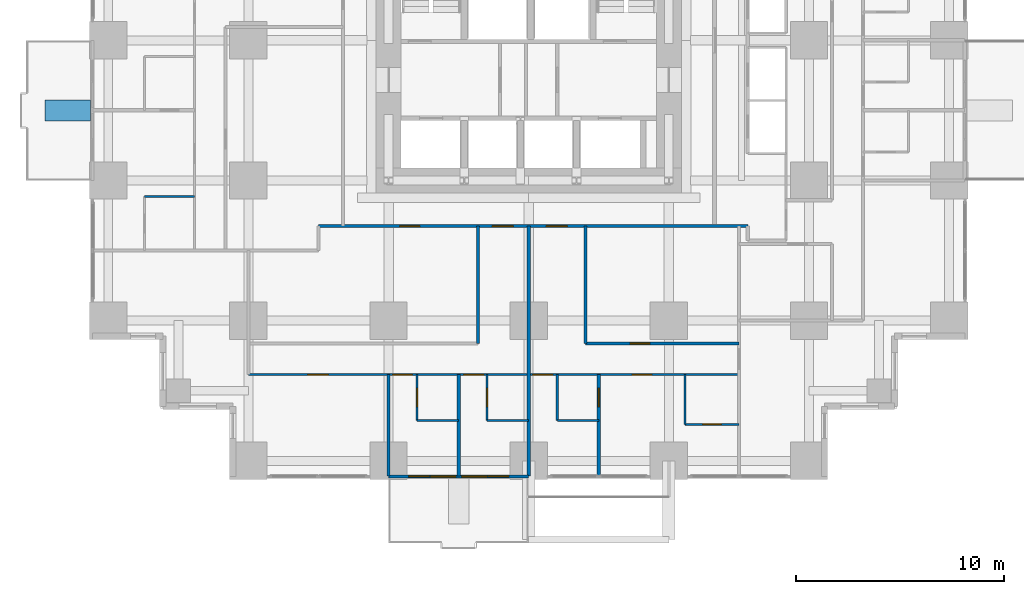
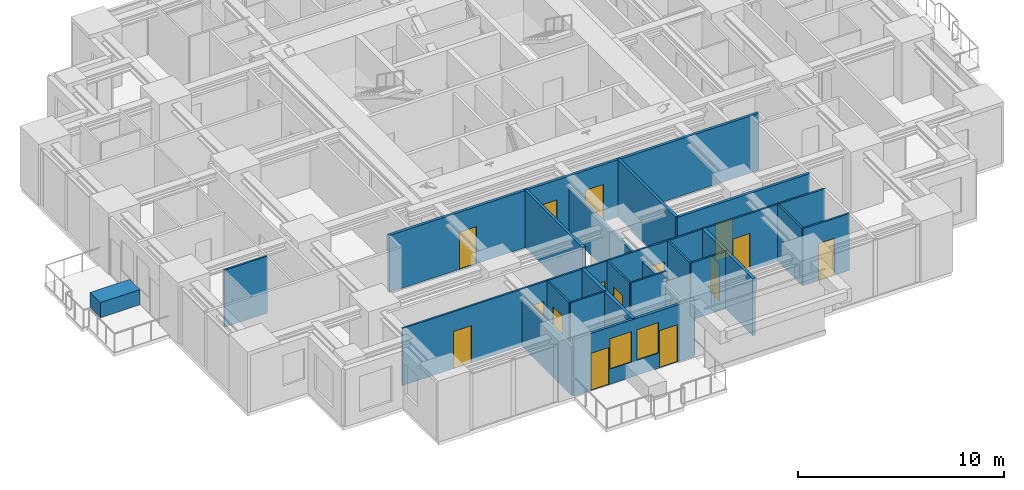
# One storey, part 7 of 13: 20 walls, 15 doors, 2 windows, 17 openings.
"""IFC4 building model written with IfcOpenShell, lengths in metres."""

from ifc_helpers import new_model, si_unit, direction, frame, frame_2d, origin, place, context, subcontext, project, spatial, rectangle, extrude, material, layer, layer_set, type_object, element, fill, save


model = new_model("IFC4")

# Units and contexts
model_context = context("Model", 3, precision=1e-05, world=origin(), true_north=direction((0.0, 1.0)))
body_context = subcontext(model_context, "Body", "Model", "MODEL_VIEW")
ifc_project = project(units=[si_unit("LENGTHUNIT", "METRE"), si_unit("AREAUNIT", "SQUARE_METRE"), si_unit("VOLUMEUNIT", "CUBIC_METRE"), si_unit("PLANEANGLEUNIT", "RADIAN"), si_unit("MASSUNIT", "GRAM", prefix="KILO")], contexts=[model_context])

# Site, building, storey
site_placement = place(None, origin())
site = spatial("IfcSite", under=ifc_project, at=site_placement, CompositionType="ELEMENT")
building_placement = place(site_placement, origin())
building = spatial("IfcBuilding", under=site, at=building_placement, Name="Nyansa Garden Tower", CompositionType="ELEMENT")
storey_placement = place(building_placement, frame((0.0, 0.0, 101.699951171875)))
storey = spatial("IfcBuildingStorey", under=building, at=storey_placement, Name="L27", CompositionType="ELEMENT", Elevation=101.699951171875)

# Wall
ifc_material_1 = material(Name="Dense blockwork, plastered both sides, 55 dB", Category="masonry")
ifc_layer_1 = layer(ifc_material_1, 0.175048828125)
ifc_layer_set_1 = layer_set([ifc_layer_1], Name="Acoustic party wall PW175")
wall_type_1 = type_object("IfcWallType", Name="Acoustic party wall PW175", PredefinedType="PARTITIONING", material=ifc_layer_set_1)
wall_1_placement = place(storey_placement, frame((16.875, -0.73388671875, 0.0), z_axis=(0.0, 0.0, 1.0), x_axis=(0.0, 1.0, 0.0)))
element("IfcWall", 1, at=wall_1_placement, inside=storey, type_object=wall_type_1, Name="Party wall", PredefinedType="PARTITIONING", context=body_context, shape_type="SweptSolid", body=[
    extrude(rectangle(XDim=4.8837890625, YDim=0.175048828125, at=frame_2d((2.44189453125, 0.0))), origin(), (0.0, 0.0, 1.0), 3.375),
])

# Wall, opening, door
wall_2_placement = place(storey_placement, frame((23.625, -0.73388671875, 0.0), z_axis=(0.0, 0.0, 1.0), x_axis=(0.0, 1.0, 0.0)))
wall_2 = element("IfcWall", 2, at=wall_2_placement, inside=storey, type_object=wall_type_1, Name="Party wall", PredefinedType="PARTITIONING", context=body_context, shape_type="SweptSolid", body=[
    extrude(rectangle(XDim=4.8837890625, YDim=0.175048828125, at=frame_2d((2.44189453125, 0.0))), origin(), (0.0, 0.0, 1.0), 3.375),
])
opening_1_placement = place(wall_2_placement, frame((3.333984375, 0.0, 0.0)))
opening_1 = element("IfcOpeningElement", 3, at=opening_1_placement, cuts=wall_2, Name="Opening D02", PredefinedType="OPENING", context=body_context, shape_type="SweptSolid", body=[
    extrude(rectangle(XDim=0.89990234375, YDim=2.199951171875, at=frame_2d((0.449951171875, 1.10009765625))), frame((0.0, 0.097412109375, 0.0), z_axis=(0.0, -1.0, 0.0), x_axis=(1.0, 0.0, 0.0)), (0.0, 0.0, 1.0), 0.195068359375),
])
ifc_material_2 = material(Name="Timber flush door", Category="wood")
door_type_1 = type_object("IfcDoorType", Name="En-suite door D02 900x2200", OperationType="SINGLE_SWING_RIGHT", PredefinedType="DOOR", material=ifc_material_2)
door_1_placement = place(opening_1_placement, origin())
door_1 = element("IfcDoor", 4, at=door_1_placement, inside=storey, type_object=door_type_1, Name="Door L27-028", OperationType="SINGLE_SWING_RIGHT", OverallHeight=2.199951171875, OverallWidth=0.89990234375, PredefinedType="DOOR", context=body_context, shape_type="SweptSolid", body=[
    extrude(rectangle(XDim=0.89990234375, YDim=2.199951171875, at=frame_2d((0.449951171875, 1.10009765625))), frame((0.0, 0.02490234375, 0.0), z_axis=(0.0, -1.0, 0.0), x_axis=(1.0, 0.0, 0.0)), (0.0, 0.0, 1.0), 0.050048828125),
])
fill(opening_1, door_1)

# Wall, openings, doors, windows
ifc_material_3 = material(Name="Black aluminium framed glazed screen", Category="aluminium")
ifc_layer_2 = layer(ifc_material_3, 0.14990234375)
ifc_layer_set_2 = layer_set([ifc_layer_2], Name="Balcony screen wall BW150")
wall_type_2 = type_object("IfcWallType", Name="Balcony screen wall BW150", PredefinedType="SOLIDWALL", material=ifc_layer_set_2)
wall_3_placement = place(storey_placement, frame((20.25, -0.75, 0.0), z_axis=(0.0, 0.0, 1.0), x_axis=(-1.0, 0.0, 0.0)))
wall_3 = element("IfcWall", 5, at=wall_3_placement, inside=storey, type_object=wall_type_2, Name="Glazed screen wall L27 S", PredefinedType="SOLIDWALL", context=body_context, shape_type="SweptSolid", body=[
    extrude(rectangle(XDim=6.75, YDim=0.14990234375, at=frame_2d((3.375, 0.0))), origin(), (0.0, 0.0, 1.0), 3.375),
])
opening_2_placement = place(wall_3_placement, frame((0.96240234375, 0.0, 0.0)))
opening_2 = element("IfcOpeningElement", 6, at=opening_2_placement, cuts=wall_3, Name="Opening D20", PredefinedType="OPENING", context=body_context, shape_type="SweptSolid", body=[
    extrude(rectangle(XDim=1.0, YDim=2.199951171875, at=frame_2d((0.5, 1.10009765625))), frame((0.0, 0.0849609375, 0.0), z_axis=(0.0, -1.0, 0.0), x_axis=(1.0, 0.0, 0.0)), (0.0, 0.0, 1.0), 0.169921875),
])
opening_3_placement = place(wall_3_placement, frame((2.02490234375, 0.0, 0.89990234375)))
opening_3 = element("IfcOpeningElement", 7, at=opening_3_placement, cuts=wall_3, Name="Opening W6", PredefinedType="OPENING", context=body_context, shape_type="SweptSolid", body=[
    extrude(rectangle(XDim=1.199951171875, YDim=1.800048828125, at=frame_2d((0.60009765625, 0.89990234375))), frame((0.0, 0.0849609375, 0.0), z_axis=(0.0, -1.0, 0.0), x_axis=(1.0, 0.0, 0.0)), (0.0, 0.0, 1.0), 0.169921875),
])
opening_4_placement = place(wall_3_placement, frame((4.78759765625, 0.0, 0.0)))
opening_4 = element("IfcOpeningElement", 8, at=opening_4_placement, cuts=wall_3, Name="Opening D20", PredefinedType="OPENING", context=body_context, shape_type="SweptSolid", body=[
    extrude(rectangle(XDim=1.0, YDim=2.199951171875, at=frame_2d((0.5, 1.10009765625))), frame((0.0, 0.0849609375, 0.0), z_axis=(0.0, -1.0, 0.0), x_axis=(1.0, 0.0, 0.0)), (0.0, 0.0, 1.0), 0.169921875),
])
opening_5_placement = place(wall_3_placement, frame((3.52490234375, 0.0, 0.89990234375)))
opening_5 = element("IfcOpeningElement", 9, at=opening_5_placement, cuts=wall_3, Name="Opening W6", PredefinedType="OPENING", context=body_context, shape_type="SweptSolid", body=[
    extrude(rectangle(XDim=1.199951171875, YDim=1.800048828125, at=frame_2d((0.60009765625, 0.89990234375))), frame((0.0, 0.0849609375, 0.0), z_axis=(0.0, -1.0, 0.0), x_axis=(1.0, 0.0, 0.0)), (0.0, 0.0, 1.0), 0.169921875),
])
ifc_material_4 = material(Name="Black aluminium framed glazed door", Category="aluminium")
door_type_2 = type_object("IfcDoorType", Name="Balcony door D20 1000x2200", OperationType="NOTDEFINED", PredefinedType="DOOR", material=ifc_material_4)
door_2_placement = place(opening_2_placement, origin())
door_2 = element("IfcDoor", 10, at=door_2_placement, inside=storey, type_object=door_type_2, Name="Balcony door L27", OperationType="SINGLE_SWING_LEFT", OverallHeight=2.199951171875, OverallWidth=1.0, PredefinedType="DOOR", context=body_context, shape_type="SweptSolid", body=[
    extrude(rectangle(XDim=1.0, YDim=2.199951171875, at=frame_2d((0.5, 1.10009765625))), frame((0.0, 0.02490234375, 0.0), z_axis=(0.0, -1.0, 0.0), x_axis=(1.0, 0.0, 0.0)), (0.0, 0.0, 1.0), 0.050048828125),
])
fill(opening_2, door_2)
door_3_placement = place(opening_4_placement, origin())
door_3 = element("IfcDoor", 11, at=door_3_placement, inside=storey, type_object=door_type_2, Name="Balcony door L27", OperationType="SINGLE_SWING_RIGHT", OverallHeight=2.199951171875, OverallWidth=1.0, PredefinedType="DOOR", context=body_context, shape_type="SweptSolid", body=[
    extrude(rectangle(XDim=1.0, YDim=2.199951171875, at=frame_2d((0.5, 1.10009765625))), frame((0.0, 0.02490234375, 0.0), z_axis=(0.0, -1.0, 0.0), x_axis=(1.0, 0.0, 0.0)), (0.0, 0.0, 1.0), 0.050048828125),
])
fill(opening_4, door_3)
ifc_material_5 = material(Name="Black aluminium frame, dark tinted double glazing", Category="aluminium")
window_type = type_object("IfcWindowType", Name="Balcony window W6 1200x1800", PartitioningType="SINGLE_PANEL", PredefinedType="WINDOW", material=ifc_material_5)
window_1_placement = place(opening_3_placement, origin())
window_1 = element("IfcWindow", 12, at=window_1_placement, inside=storey, type_object=window_type, Name="Window L27", OverallHeight=1.800048828125, OverallWidth=1.199951171875, PartitioningType="SINGLE_PANEL", PredefinedType="WINDOW", context=body_context, shape_type="SweptSolid", body=[
    extrude(rectangle(XDim=1.199951171875, YDim=1.800048828125, at=frame_2d((0.60009765625, 0.89990234375))), frame((0.0, 0.030029296875, 0.0), z_axis=(0.0, -1.0, 0.0), x_axis=(1.0, 0.0, 0.0)), (0.0, 0.0, 1.0), 0.06005859375),
])
fill(opening_3, window_1)
window_2_placement = place(opening_5_placement, origin())
window_2 = element("IfcWindow", 13, at=window_2_placement, inside=storey, type_object=window_type, Name="Window L27", OverallHeight=1.800048828125, OverallWidth=1.199951171875, PartitioningType="SINGLE_PANEL", PredefinedType="WINDOW", context=body_context, shape_type="SweptSolid", body=[
    extrude(rectangle(XDim=1.199951171875, YDim=1.800048828125, at=frame_2d((0.60009765625, 0.89990234375))), frame((0.0, 0.030029296875, 0.0), z_axis=(0.0, -1.0, 0.0), x_axis=(1.0, 0.0, 0.0)), (0.0, 0.0, 1.0), 0.06005859375),
])
fill(opening_5, window_2)

# Wall, openings, doors
ifc_material_6 = material(Name="Blockwork, plastered both sides", Category="masonry")
ifc_layer_3 = layer(ifc_material_6, 0.14990234375)
ifc_layer_set_3 = layer_set([ifc_layer_3], Name="Partition PW150")
wall_type_3 = type_object("IfcWallType", Name="Partition PW150", PredefinedType="PARTITIONING", material=ifc_layer_set_3)
wall_4_placement = place(storey_placement, frame((10.125, 11.300048828125, 0.0), z_axis=(0.0, 0.0, 1.0), x_axis=(1.0, 0.0, 0.0)))
wall_4 = element("IfcWall", 14, at=wall_4_placement, inside=storey, type_object=wall_type_3, Name="Partition", PredefinedType="PARTITIONING", context=body_context, shape_type="SweptSolid", body=[
    extrude(rectangle(XDim=20.675048828125, YDim=0.14990234375, at=frame_2d((10.33740234375, 0.0))), origin(), (0.0, 0.0, 1.0), 3.375),
])
opening_6_placement = place(wall_4_placement, frame((8.375, 0.0, 0.0)))
opening_6 = element("IfcOpeningElement", 15, at=opening_6_placement, cuts=wall_4, Name="Opening D03", PredefinedType="OPENING", context=body_context, shape_type="SweptSolid", body=[
    extrude(rectangle(XDim=1.0, YDim=2.199951171875, at=frame_2d((0.5, 1.10009765625))), frame((0.0, 0.0849609375, 0.0), z_axis=(0.0, -1.0, 0.0), x_axis=(1.0, 0.0, 0.0)), (0.0, 0.0, 1.0), 0.169921875),
])
opening_7_placement = place(wall_4_placement, frame((10.97509765625, 0.0, 0.0)))
opening_7 = element("IfcOpeningElement", 16, at=opening_7_placement, cuts=wall_4, Name="Opening D03", PredefinedType="OPENING", context=body_context, shape_type="SweptSolid", body=[
    extrude(rectangle(XDim=1.0, YDim=2.199951171875, at=frame_2d((0.5, 1.10009765625))), frame((0.0, 0.0849609375, 0.0), z_axis=(0.0, -1.0, 0.0), x_axis=(1.0, 0.0, 0.0)), (0.0, 0.0, 1.0), 0.169921875),
])
opening_8_placement = place(wall_4_placement, frame((3.925048828125, 0.0, 0.0)))
opening_8 = element("IfcOpeningElement", 17, at=opening_8_placement, cuts=wall_4, Name="Opening D01", PredefinedType="OPENING", context=body_context, shape_type="SweptSolid", body=[
    extrude(rectangle(XDim=0.949951171875, YDim=2.199951171875, at=frame_2d((0.47509765625, 1.10009765625))), frame((0.0, 0.0849609375, 0.0), z_axis=(0.0, -1.0, 0.0), x_axis=(1.0, 0.0, 0.0)), (0.0, 0.0, 1.0), 0.169921875),
])
ifc_material_7 = material(Name="Timber flush door, 30 minute fire resisting", Category="wood")
door_type_3 = type_object("IfcDoorType", Name="Bedroom door D01 950x2200", OperationType="SINGLE_SWING_LEFT", PredefinedType="DOOR", material=ifc_material_7)
door_4_placement = place(opening_8_placement, origin())
door_4 = element("IfcDoor", 18, at=door_4_placement, inside=storey, type_object=door_type_3, Name="Door L27-030", OperationType="SINGLE_SWING_LEFT", OverallHeight=2.199951171875, OverallWidth=0.949951171875, PredefinedType="DOOR", context=body_context, shape_type="SweptSolid", body=[
    extrude(rectangle(XDim=0.949951171875, YDim=2.199951171875, at=frame_2d((0.47509765625, 1.10009765625))), frame((0.0, 0.02490234375, 0.0), z_axis=(0.0, -1.0, 0.0), x_axis=(1.0, 0.0, 0.0)), (0.0, 0.0, 1.0), 0.050048828125),
])
fill(opening_8, door_4)
ifc_material_8 = material(Name="Timber flush door, 60 minute fire resisting", Category="wood")
door_type_4 = type_object("IfcDoorType", Name="Cluster entrance door D03 1000x2200", OperationType="SINGLE_SWING_LEFT", PredefinedType="DOOR", material=ifc_material_8)
door_5_placement = place(opening_6_placement, origin())
door_5 = element("IfcDoor", 19, at=door_5_placement, inside=storey, type_object=door_type_4, Name="Door L27-024", OperationType="SINGLE_SWING_LEFT", OverallHeight=2.199951171875, OverallWidth=1.0, PredefinedType="DOOR", context=body_context, shape_type="SweptSolid", body=[
    extrude(rectangle(XDim=1.0, YDim=2.199951171875, at=frame_2d((0.5, 1.10009765625))), frame((0.0, 0.02490234375, 0.0), z_axis=(0.0, -1.0, 0.0), x_axis=(1.0, 0.0, 0.0)), (0.0, 0.0, 1.0), 0.050048828125),
])
fill(opening_6, door_5)
door_6_placement = place(opening_7_placement, origin())
door_6 = element("IfcDoor", 20, at=door_6_placement, inside=storey, type_object=door_type_4, Name="Door L27-029", OperationType="SINGLE_SWING_LEFT", OverallHeight=2.199951171875, OverallWidth=1.0, PredefinedType="DOOR", context=body_context, shape_type="SweptSolid", body=[
    extrude(rectangle(XDim=1.0, YDim=2.199951171875, at=frame_2d((0.5, 1.10009765625))), frame((0.0, 0.02490234375, 0.0), z_axis=(0.0, -1.0, 0.0), x_axis=(1.0, 0.0, 0.0)), (0.0, 0.0, 1.0), 0.050048828125),
])
fill(opening_7, door_6)

# Walls
wall_5_placement = place(storey_placement, frame((13.5, -0.73388671875, 0.0), z_axis=(0.0, 0.0, 1.0), x_axis=(0.0, 1.0, 0.0)))
element("IfcWall", 21, at=wall_5_placement, inside=storey, type_object=wall_type_3, Name="Partition", PredefinedType="PARTITIONING", context=body_context, shape_type="SweptSolid", body=[
    extrude(rectangle(XDim=4.8837890625, YDim=0.14990234375, at=frame_2d((2.44189453125, 0.0))), origin(), (0.0, 0.0, 1.0), 2.876953125),
])
wall_6_placement = place(storey_placement, frame((17.800048828125, 5.64990234375, 0.0), z_axis=(0.0, 0.0, 1.0), x_axis=(0.0, 1.0, 0.0)))
element("IfcWall", 22, at=wall_6_placement, inside=storey, type_object=wall_type_3, Name="Partition", PredefinedType="PARTITIONING", context=body_context, shape_type="SweptSolid", body=[
    extrude(rectangle(XDim=5.650146484375, YDim=0.14990234375, at=frame_2d((2.8251953125, 0.0))), origin(), (0.0, 0.0, 1.0), 3.375),
])
wall_7_placement = place(storey_placement, frame((20.25, -0.73388671875, 0.0), z_axis=(0.0, 0.0, 1.0), x_axis=(0.0, 1.0, 0.0)))
element("IfcWall", 23, at=wall_7_placement, inside=storey, type_object=wall_type_3, Name="Partition", PredefinedType="PARTITIONING", context=body_context, shape_type="SweptSolid", body=[
    extrude(rectangle(XDim=12.033935546875, YDim=0.14990234375, at=frame_2d((6.01708984375, 0.0))), origin(), (0.0, 0.0, 1.0), 2.610107421875),
])

# Wall, opening, door
wall_8_placement = place(storey_placement, frame((22.987548828125, 5.64990234375, 0.0), z_axis=(0.0, 0.0, 1.0), x_axis=(1.0, 0.0, 0.0)))
wall_8 = element("IfcWall", 24, at=wall_8_placement, inside=storey, type_object=wall_type_3, Name="Partition", PredefinedType="PARTITIONING", context=body_context, shape_type="SweptSolid", body=[
    extrude(rectangle(XDim=7.387451171875, YDim=0.14990234375, at=frame_2d((3.69384765625, 0.0))), origin(), (0.0, 0.0, 1.0), 3.375),
])
opening_9_placement = place(wall_8_placement, frame((2.14990234375, 0.0, 0.0)))
opening_9 = element("IfcOpeningElement", 25, at=opening_9_placement, cuts=wall_8, Name="Opening D01", PredefinedType="OPENING", context=body_context, shape_type="SweptSolid", body=[
    extrude(rectangle(XDim=0.949951171875, YDim=2.199951171875, at=frame_2d((0.47509765625, 1.10009765625))), frame((0.0, 0.0849609375, 0.0), z_axis=(0.0, -1.0, 0.0), x_axis=(1.0, 0.0, 0.0)), (0.0, 0.0, 1.0), 0.169921875),
])
door_7_placement = place(opening_9_placement, origin())
door_7 = element("IfcDoor", 26, at=door_7_placement, inside=storey, type_object=door_type_3, Name="Door L27-031", OperationType="SINGLE_SWING_LEFT", OverallHeight=2.199951171875, OverallWidth=0.949951171875, PredefinedType="DOOR", context=body_context, shape_type="SweptSolid", body=[
    extrude(rectangle(XDim=0.949951171875, YDim=2.199951171875, at=frame_2d((0.47509765625, 1.10009765625))), frame((0.0, 0.02490234375, 0.0), z_axis=(0.0, -1.0, 0.0), x_axis=(1.0, 0.0, 0.0)), (0.0, 0.0, 1.0), 0.050048828125),
])
fill(opening_9, door_7)

# Walls
wall_9_placement = place(storey_placement, frame((22.988037109375, 5.64990234375, 0.0), z_axis=(0.0, 0.0, 1.0), x_axis=(0.0, 1.0, 0.0)))
element("IfcWall", 27, at=wall_9_placement, inside=storey, type_object=wall_type_3, Name="Partition", PredefinedType="PARTITIONING", context=body_context, shape_type="SweptSolid", body=[
    extrude(rectangle(XDim=5.650146484375, YDim=0.14990234375, at=frame_2d((2.8251953125, 0.0))), origin(), (0.0, 0.0, 1.0), 3.375),
])
ifc_material_9 = material(Name="Concrete C40/50 planter, waterproofed", Category="concrete")
ifc_layer_4 = layer(ifc_material_9, 1.0)
ifc_layer_set_4 = layer_set([ifc_layer_4], Name="Tree planter TP1")
wall_type_4 = type_object("IfcWallType", Name="Tree planter TP1", PredefinedType="USERDEFINED", material=ifc_layer_set_4)
wall_10_placement = place(storey_placement, frame((-0.85009765625, 16.875, 0.0), z_axis=(0.0, 0.0, 1.0), x_axis=(-1.0, 0.0, 0.0)))
element("IfcWall", 28, at=wall_10_placement, inside=storey, type_object=wall_type_4, Name="Tree planter L27", ObjectType="TREE PLANTER", PredefinedType="USERDEFINED", context=body_context, shape_type="SweptSolid", body=[
    extrude(rectangle(XDim=2.199951171875, YDim=1.0, at=frame_2d((1.10009765625, 0.0))), origin(), (0.0, 0.0, 1.0), 0.900146484375),
])
ifc_material_10 = material(Name="Moisture resistant board on steel studs, tiled", Category="steel")
ifc_layer_5 = layer(ifc_material_10, 0.10009765625)
ifc_layer_set_5 = layer_set([ifc_layer_5], Name="Wet wall PW100")
wall_type_5 = type_object("IfcWallType", Name="Wet wall PW100", PredefinedType="PARTITIONING", material=ifc_layer_set_5)
wall_11_placement = place(storey_placement, frame((1.75, 12.72509765625, 0.0), z_axis=(0.0, 0.0, 1.0), x_axis=(1.0, 0.0, 0.0)))
element("IfcWall", 29, at=wall_11_placement, inside=storey, type_object=wall_type_5, Name="Wet wall", PredefinedType="PARTITIONING", context=body_context, shape_type="SweptSolid", body=[
    extrude(rectangle(XDim=2.39990234375, YDim=0.10009765625, at=frame_2d((1.199951171875, 0.0))), origin(), (0.0, 0.0, 1.0), 3.375),
])

# Wall, openings, doors
wall_12_placement = place(storey_placement, frame((6.75, 4.14990234375, 0.0), z_axis=(0.0, 0.0, 1.0), x_axis=(1.0, 0.0, 0.0)))
wall_12 = element("IfcWall", 30, at=wall_12_placement, inside=storey, type_object=wall_type_5, Name="Wet wall", PredefinedType="PARTITIONING", context=body_context, shape_type="SweptSolid", body=[
    extrude(rectangle(XDim=23.625, YDim=0.10009765625, at=frame_2d((11.8125, 0.0))), origin(), (0.0, 0.0, 1.0), 3.375),
])
opening_10_placement = place(wall_12_placement, frame((2.85009765625, 0.0, 0.0)))
opening_10 = element("IfcOpeningElement", 31, at=opening_10_placement, cuts=wall_12, Name="Opening D03", PredefinedType="OPENING", context=body_context, shape_type="SweptSolid", body=[
    extrude(rectangle(XDim=1.0, YDim=2.199951171875, at=frame_2d((0.5, 1.10009765625))), frame((0.0, 0.06005859375, 0.0), z_axis=(0.0, -1.0, 0.0), x_axis=(1.0, 0.0, 0.0)), (0.0, 0.0, 1.0), 0.1201171875),
])
opening_11_placement = place(wall_12_placement, frame((6.949951171875, 0.0, 0.0)))
opening_11 = element("IfcOpeningElement", 32, at=opening_11_placement, cuts=wall_12, Name="Opening D01", PredefinedType="OPENING", context=body_context, shape_type="SweptSolid", body=[
    extrude(rectangle(XDim=0.949951171875, YDim=2.199951171875, at=frame_2d((0.47509765625, 1.10009765625))), frame((0.0, 0.06005859375, 0.0), z_axis=(0.0, -1.0, 0.0), x_axis=(1.0, 0.0, 0.0)), (0.0, 0.0, 1.0), 0.1201171875),
])
opening_12_placement = place(wall_12_placement, frame((10.375, 0.0, 0.0)))
opening_12 = element("IfcOpeningElement", 33, at=opening_12_placement, cuts=wall_12, Name="Opening D01", PredefinedType="OPENING", context=body_context, shape_type="SweptSolid", body=[
    extrude(rectangle(XDim=0.949951171875, YDim=2.199951171875, at=frame_2d((0.47509765625, 1.10009765625))), frame((0.0, 0.06005859375, 0.0), z_axis=(0.0, -1.0, 0.0), x_axis=(1.0, 0.0, 0.0)), (0.0, 0.0, 1.0), 0.1201171875),
])
opening_13_placement = place(wall_12_placement, frame((18.47509765625, 0.0, 0.0)))
opening_13 = element("IfcOpeningElement", 34, at=opening_13_placement, cuts=wall_12, Name="Opening D14", PredefinedType="OPENING", context=body_context, shape_type="SweptSolid", body=[
    extrude(rectangle(XDim=0.949951171875, YDim=2.199951171875, at=frame_2d((0.47509765625, 1.10009765625))), frame((0.0, 0.06005859375, 0.0), z_axis=(0.0, -1.0, 0.0), x_axis=(1.0, 0.0, 0.0)), (0.0, 0.0, 1.0), 0.1201171875),
])
opening_14_placement = place(wall_12_placement, frame((13.699951171875, 0.0, 0.0)))
opening_14 = element("IfcOpeningElement", 35, at=opening_14_placement, cuts=wall_12, Name="Opening D14", PredefinedType="OPENING", context=body_context, shape_type="SweptSolid", body=[
    extrude(rectangle(XDim=0.949951171875, YDim=2.199951171875, at=frame_2d((0.47509765625, 1.10009765625))), frame((0.0, 0.06005859375, 0.0), z_axis=(0.0, -1.0, 0.0), x_axis=(1.0, 0.0, 0.0)), (0.0, 0.0, 1.0), 0.1201171875),
])
door_8_placement = place(opening_11_placement, origin())
door_8 = element("IfcDoor", 36, at=door_8_placement, inside=storey, type_object=door_type_3, Name="Door L27-020", OperationType="SINGLE_SWING_LEFT", OverallHeight=2.199951171875, OverallWidth=0.949951171875, PredefinedType="DOOR", context=body_context, shape_type="SweptSolid", body=[
    extrude(rectangle(XDim=0.949951171875, YDim=2.199951171875, at=frame_2d((0.47509765625, 1.10009765625))), frame((0.0, 0.02490234375, 0.0), z_axis=(0.0, -1.0, 0.0), x_axis=(1.0, 0.0, 0.0)), (0.0, 0.0, 1.0), 0.050048828125),
])
fill(opening_11, door_8)
door_9_placement = place(opening_12_placement, origin())
door_9 = element("IfcDoor", 37, at=door_9_placement, inside=storey, type_object=door_type_3, Name="Door L27-022", OperationType="SINGLE_SWING_LEFT", OverallHeight=2.199951171875, OverallWidth=0.949951171875, PredefinedType="DOOR", context=body_context, shape_type="SweptSolid", body=[
    extrude(rectangle(XDim=0.949951171875, YDim=2.199951171875, at=frame_2d((0.47509765625, 1.10009765625))), frame((0.0, 0.02490234375, 0.0), z_axis=(0.0, -1.0, 0.0), x_axis=(1.0, 0.0, 0.0)), (0.0, 0.0, 1.0), 0.050048828125),
])
fill(opening_12, door_9)
door_10_placement = place(opening_10_placement, origin())
door_10 = element("IfcDoor", 38, at=door_10_placement, inside=storey, type_object=door_type_4, Name="Door L27-019", OperationType="SINGLE_SWING_LEFT", OverallHeight=2.199951171875, OverallWidth=1.0, PredefinedType="DOOR", context=body_context, shape_type="SweptSolid", body=[
    extrude(rectangle(XDim=1.0, YDim=2.199951171875, at=frame_2d((0.5, 1.10009765625))), frame((0.0, 0.02490234375, 0.0), z_axis=(0.0, -1.0, 0.0), x_axis=(1.0, 0.0, 0.0)), (0.0, 0.0, 1.0), 0.050048828125),
])
fill(opening_10, door_10)
ifc_material_11 = material(Name="Timber flush door, 60 minute fire resisting, self-closing", Category="wood")
door_type_5 = type_object("IfcDoorType", Name="Studio entrance door D14 950x2200", OperationType="SINGLE_SWING_LEFT", PredefinedType="DOOR", material=ifc_material_11)
door_11_placement = place(opening_13_placement, origin())
door_11 = element("IfcDoor", 39, at=door_11_placement, inside=storey, type_object=door_type_5, Name="Door L27-025", OperationType="SINGLE_SWING_LEFT", OverallHeight=2.199951171875, OverallWidth=0.949951171875, PredefinedType="DOOR", context=body_context, shape_type="SweptSolid", body=[
    extrude(rectangle(XDim=0.949951171875, YDim=2.199951171875, at=frame_2d((0.47509765625, 1.10009765625))), frame((0.0, 0.02490234375, 0.0), z_axis=(0.0, -1.0, 0.0), x_axis=(1.0, 0.0, 0.0)), (0.0, 0.0, 1.0), 0.050048828125),
])
fill(opening_13, door_11)
door_12_placement = place(opening_14_placement, origin())
door_12 = element("IfcDoor", 40, at=door_12_placement, inside=storey, type_object=door_type_5, Name="Door L27-027", OperationType="SINGLE_SWING_LEFT", OverallHeight=2.199951171875, OverallWidth=0.949951171875, PredefinedType="DOOR", context=body_context, shape_type="SweptSolid", body=[
    extrude(rectangle(XDim=0.949951171875, YDim=2.199951171875, at=frame_2d((0.47509765625, 1.10009765625))), frame((0.0, 0.02490234375, 0.0), z_axis=(0.0, -1.0, 0.0), x_axis=(1.0, 0.0, 0.0)), (0.0, 0.0, 1.0), 0.050048828125),
])
fill(opening_14, door_12)

# Wall, opening, door
wall_13_placement = place(storey_placement, frame((14.875, 1.949951171875, 0.0), z_axis=(0.0, 0.0, 1.0), x_axis=(0.0, 1.0, 0.0)))
wall_13 = element("IfcWall", 41, at=wall_13_placement, inside=storey, type_object=wall_type_5, Name="Wet wall", PredefinedType="PARTITIONING", context=body_context, shape_type="SweptSolid", body=[
    extrude(rectangle(XDim=2.199951171875, YDim=0.10009765625, at=frame_2d((1.10009765625, 0.0))), origin(), (0.0, 0.0, 1.0), 3.375),
])
opening_15_placement = place(wall_13_placement, frame((0.64990234375, 0.0, 0.0)))
opening_15 = element("IfcOpeningElement", 42, at=opening_15_placement, cuts=wall_13, Name="Opening D02", PredefinedType="OPENING", context=body_context, shape_type="SweptSolid", body=[
    extrude(rectangle(XDim=0.89990234375, YDim=2.199951171875, at=frame_2d((0.449951171875, 1.10009765625))), frame((0.0, 0.06005859375, 0.0), z_axis=(0.0, -1.0, 0.0), x_axis=(1.0, 0.0, 0.0)), (0.0, 0.0, 1.0), 0.1201171875),
])
door_13_placement = place(opening_15_placement, origin())
door_13 = element("IfcDoor", 43, at=door_13_placement, inside=storey, type_object=door_type_1, Name="Door L27-021", OperationType="SINGLE_SWING_RIGHT", OverallHeight=2.199951171875, OverallWidth=0.89990234375, PredefinedType="DOOR", context=body_context, shape_type="SweptSolid", body=[
    extrude(rectangle(XDim=0.89990234375, YDim=2.199951171875, at=frame_2d((0.449951171875, 1.10009765625))), frame((0.0, 0.02490234375, 0.0), z_axis=(0.0, -1.0, 0.0), x_axis=(1.0, 0.0, 0.0)), (0.0, 0.0, 1.0), 0.050048828125),
])
fill(opening_15, door_13)

# Wall
wall_14_placement = place(storey_placement, frame((14.875, 1.949951171875, 0.0), z_axis=(0.0, 0.0, 1.0), x_axis=(1.0, 0.0, 0.0)))
element("IfcWall", 44, at=wall_14_placement, inside=storey, type_object=wall_type_5, Name="Wet wall", PredefinedType="PARTITIONING", context=body_context, shape_type="SweptSolid", body=[
    extrude(rectangle(XDim=2.0, YDim=0.10009765625, at=frame_2d((1.0, 0.0))), origin(), (0.0, 0.0, 1.0), 3.375),
])

# Wall, opening, door
wall_15_placement = place(storey_placement, frame((18.25, 1.949951171875, 0.0), z_axis=(0.0, 0.0, 1.0), x_axis=(0.0, 1.0, 0.0)))
wall_15 = element("IfcWall", 45, at=wall_15_placement, inside=storey, type_object=wall_type_5, Name="Wet wall", PredefinedType="PARTITIONING", context=body_context, shape_type="SweptSolid", body=[
    extrude(rectangle(XDim=2.199951171875, YDim=0.10009765625, at=frame_2d((1.10009765625, 0.0))), origin(), (0.0, 0.0, 1.0), 3.375),
])
opening_16_placement = place(wall_15_placement, frame((0.64990234375, 0.0, 0.0)))
opening_16 = element("IfcOpeningElement", 46, at=opening_16_placement, cuts=wall_15, Name="Opening D02", PredefinedType="OPENING", context=body_context, shape_type="SweptSolid", body=[
    extrude(rectangle(XDim=0.89990234375, YDim=2.199951171875, at=frame_2d((0.449951171875, 1.10009765625))), frame((0.0, 0.06005859375, 0.0), z_axis=(0.0, -1.0, 0.0), x_axis=(1.0, 0.0, 0.0)), (0.0, 0.0, 1.0), 0.1201171875),
])
door_14_placement = place(opening_16_placement, origin())
door_14 = element("IfcDoor", 47, at=door_14_placement, inside=storey, type_object=door_type_1, Name="Door L27-023", OperationType="SINGLE_SWING_RIGHT", OverallHeight=2.199951171875, OverallWidth=0.89990234375, PredefinedType="DOOR", context=body_context, shape_type="SweptSolid", body=[
    extrude(rectangle(XDim=0.89990234375, YDim=2.199951171875, at=frame_2d((0.449951171875, 1.10009765625))), frame((0.0, 0.02490234375, 0.0), z_axis=(0.0, -1.0, 0.0), x_axis=(1.0, 0.0, 0.0)), (0.0, 0.0, 1.0), 0.050048828125),
])
fill(opening_16, door_14)

# Walls
wall_16_placement = place(storey_placement, frame((18.25, 1.949951171875, 0.0), z_axis=(0.0, 0.0, 1.0), x_axis=(1.0, 0.0, 0.0)))
element("IfcWall", 48, at=wall_16_placement, inside=storey, type_object=wall_type_5, Name="Wet wall", PredefinedType="PARTITIONING", context=body_context, shape_type="SweptSolid", body=[
    extrude(rectangle(XDim=2.0, YDim=0.10009765625, at=frame_2d((1.0, 0.0))), origin(), (0.0, 0.0, 1.0), 3.375),
])
wall_17_placement = place(storey_placement, frame((21.625, 1.949951171875, 0.0), z_axis=(0.0, 0.0, 1.0), x_axis=(0.0, 1.0, 0.0)))
element("IfcWall", 49, at=wall_17_placement, inside=storey, type_object=wall_type_5, Name="Wet wall", PredefinedType="PARTITIONING", context=body_context, shape_type="SweptSolid", body=[
    extrude(rectangle(XDim=2.199951171875, YDim=0.10009765625, at=frame_2d((1.10009765625, 0.0))), origin(), (0.0, 0.0, 1.0), 3.375),
])
wall_18_placement = place(storey_placement, frame((21.625, 1.949951171875, 0.0), z_axis=(0.0, 0.0, 1.0), x_axis=(1.0, 0.0, 0.0)))
element("IfcWall", 50, at=wall_18_placement, inside=storey, type_object=wall_type_5, Name="Wet wall", PredefinedType="PARTITIONING", context=body_context, shape_type="SweptSolid", body=[
    extrude(rectangle(XDim=2.0, YDim=0.10009765625, at=frame_2d((1.0, 0.0))), origin(), (0.0, 0.0, 1.0), 3.375),
])
wall_19_placement = place(storey_placement, frame((27.77490234375, 1.75, 0.0), z_axis=(0.0, 0.0, 1.0), x_axis=(0.0, 1.0, 0.0)))
element("IfcWall", 51, at=wall_19_placement, inside=storey, type_object=wall_type_5, Name="Wet wall", PredefinedType="PARTITIONING", context=body_context, shape_type="SweptSolid", body=[
    extrude(rectangle(XDim=2.39990234375, YDim=0.10009765625, at=frame_2d((1.199951171875, 0.0))), origin(), (0.0, 0.0, 1.0), 3.375),
])

# Wall, opening, door
wall_20_placement = place(storey_placement, frame((27.77490234375, 1.75, 0.0), z_axis=(0.0, 0.0, 1.0), x_axis=(1.0, 0.0, 0.0)))
wall_20 = element("IfcWall", 52, at=wall_20_placement, inside=storey, type_object=wall_type_5, Name="Wet wall", PredefinedType="PARTITIONING", context=body_context, shape_type="SweptSolid", body=[
    extrude(rectangle(XDim=2.60009765625, YDim=0.10009765625, at=frame_2d((1.300048828125, 0.0))), origin(), (0.0, 0.0, 1.0), 3.375),
])
opening_17_placement = place(wall_20_placement, frame((0.85009765625, 0.0, 0.0)))
opening_17 = element("IfcOpeningElement", 53, at=opening_17_placement, cuts=wall_20, Name="Opening D02", PredefinedType="OPENING", context=body_context, shape_type="SweptSolid", body=[
    extrude(rectangle(XDim=0.89990234375, YDim=2.199951171875, at=frame_2d((0.449951171875, 1.10009765625))), frame((0.0, 0.06005859375, 0.0), z_axis=(0.0, -1.0, 0.0), x_axis=(1.0, 0.0, 0.0)), (0.0, 0.0, 1.0), 0.1201171875),
])
door_15_placement = place(opening_17_placement, origin())
door_15 = element("IfcDoor", 54, at=door_15_placement, inside=storey, type_object=door_type_1, Name="Door L27-026", OperationType="SINGLE_SWING_RIGHT", OverallHeight=2.199951171875, OverallWidth=0.89990234375, PredefinedType="DOOR", context=body_context, shape_type="SweptSolid", body=[
    extrude(rectangle(XDim=0.89990234375, YDim=2.199951171875, at=frame_2d((0.449951171875, 1.10009765625))), frame((0.0, 0.02490234375, 0.0), z_axis=(0.0, -1.0, 0.0), x_axis=(1.0, 0.0, 0.0)), (0.0, 0.0, 1.0), 0.050048828125),
])
fill(opening_17, door_15)

save(model, "model.ifc")
